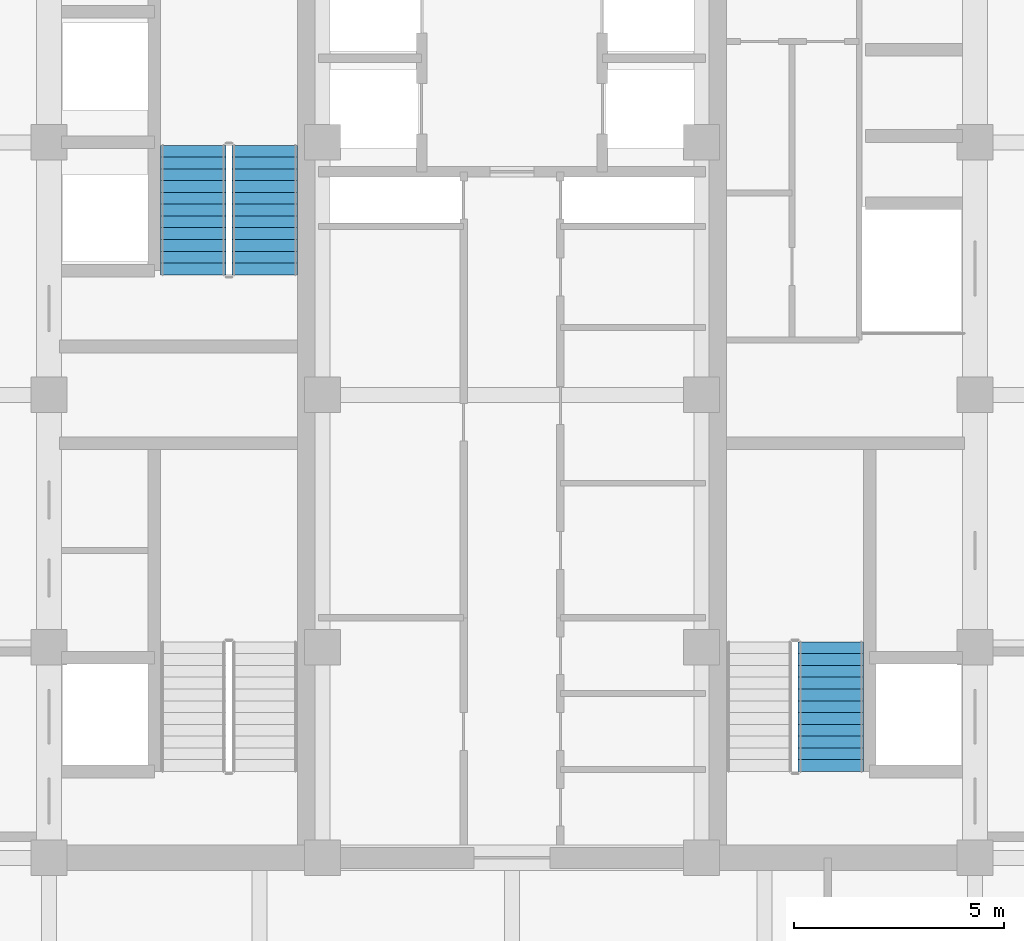
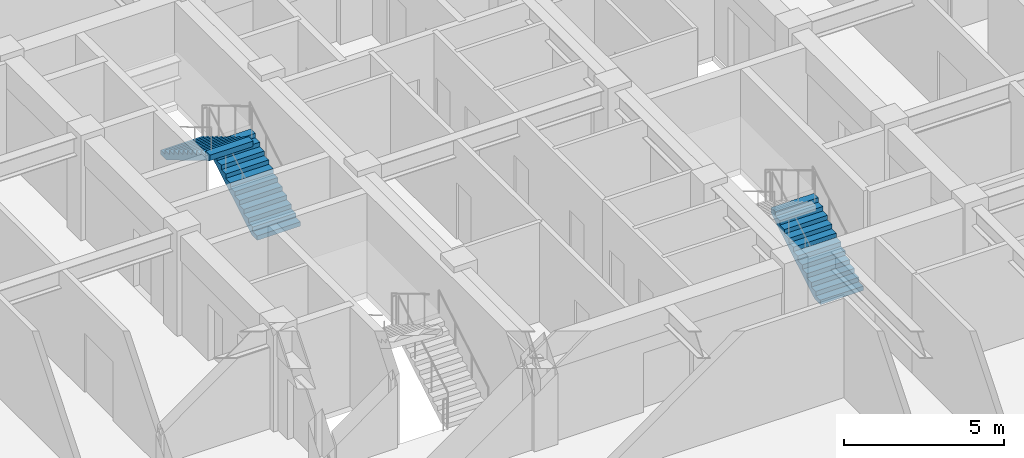
# One storey, part 24 of 25: 3 stair flights, 2 elements without a shape of their own.
"""IFC4 building model written with IfcOpenShell, lengths in metres."""

from ifc_helpers import new_model, si_unit, direction, frame, origin, place, context, subcontext, project, spatial, polyline, outline, extrude, source, transform, mapped, material, type_object, element, aggregate, save


model = new_model("IFC4")

# Units and contexts
model_context = context("Model", 3, precision=1e-05, world=origin(), true_north=direction((0.0, 1.0)))
body_context = subcontext(model_context, "Body", "Model", "MODEL_VIEW")
ifc_project = project(units=[si_unit("LENGTHUNIT", "METRE"), si_unit("AREAUNIT", "SQUARE_METRE"), si_unit("VOLUMEUNIT", "CUBIC_METRE"), si_unit("PLANEANGLEUNIT", "RADIAN"), si_unit("MASSUNIT", "GRAM", prefix="KILO")], contexts=[model_context])

# Site, building, storey
site_placement = place(None, origin())
site = spatial("IfcSite", under=ifc_project, at=site_placement, CompositionType="ELEMENT")
building_placement = place(site_placement, origin())
building = spatial("IfcBuilding", under=site, at=building_placement, Name="Khorayat Bourse Tower", CompositionType="ELEMENT")
storey_placement = place(building_placement, frame((0.0, 0.0, 223.10009765625)))
storey = spatial("IfcBuildingStorey", under=building, at=storey_placement, Name="L52", CompositionType="ELEMENT", Elevation=223.10009765625)

# Stair, stair flights
ifc_material = material(Name="Concrete C40/50", Category="concrete")
stair_type = type_object("IfcStairType", Name="STR-CORE-1550", PredefinedType="HALF_TURN_STAIR", material=ifc_material)
stair_1_placement = place(storey_placement, origin())
stair_1 = element("IfcStair", 1, at=stair_1_placement, inside=storey, type_object=stair_type, Name="L52 Exit Stair ST-2", PredefinedType="HALF_TURN_STAIR")
stair_flight_type = type_object("IfcStairFlightType", Name="FLT-CORE-1550", PredefinedType="STRAIGHT", material=ifc_material)
shared_shape = source(origin(), body_context, "Body", "SweptSolid", [
    extrude(outline(polyline([(0.0, 0.0), (0.0, 0.166748046875), (0.280029296875, 0.166748046875), (0.280029296875, 0.333251953125), (0.56005859375, 0.333251953125), (0.56005859375, 0.5), (0.840087890625, 0.5), (0.840087890625, 0.666748046875), (1.1201171875, 0.666748046875), (1.1201171875, 0.833251953125), (1.39990234375, 0.833251953125), (1.39990234375, 1.0), (1.679931640625, 1.0), (1.679931640625, 1.166748046875), (1.9599609375, 1.166748046875), (1.9599609375, 1.333251953125), (2.239990234375, 1.333251953125), (2.239990234375, 1.5), (2.52001953125, 1.5), (2.52001953125, 1.666748046875), (2.800048828125, 1.666748046875), (2.800048828125, 1.833251953125), (3.080078125, 1.833251953125), (3.080078125, 2.0), (3.080078125, 1.6240234375), (0.351806640625, 0.0), (0.0, 0.0)])), frame((0.0, 0.77490234375, 0.0), z_axis=(0.0, -1.0, 0.0), x_axis=(1.0, 0.0, 0.0)), (0.0, 0.0, 1.0), 1.550048828125),
])
stair_flight_1_placement = place(storey_placement, frame((-5.875, 2.85009765625, 0.0), z_axis=(0.0, 0.0, 1.0), x_axis=(0.0, 1.0, 0.0)))
stair_flight_1 = element("IfcStairFlight", 2, at=stair_flight_1_placement, type_object=stair_flight_type, Name="ST-2 flight 1", NumberOfRisers=12, NumberOfTreads=11, PredefinedType="STRAIGHT", RiserHeight=0.166666667, TreadLength=0.28, context=body_context, shape_type="MappedRepresentation", body=[
    mapped(shared_shape, transform((0.0, 0.0, 0.0), scale=1.0)),
])
stair_flight_2_placement = place(storey_placement, frame((-7.574951171875, 5.929931640625, 2.0), z_axis=(0.0, 0.0, 1.0), x_axis=(0.0, -1.0, 0.0)))
stair_flight_2 = element("IfcStairFlight", 3, at=stair_flight_2_placement, type_object=stair_flight_type, Name="ST-2 flight 2", NumberOfRisers=12, NumberOfTreads=11, PredefinedType="STRAIGHT", RiserHeight=0.166666667, TreadLength=0.28, context=body_context, shape_type="MappedRepresentation", body=[
    mapped(shared_shape, transform((0.0, 0.0, 0.0), scale=1.0)),
])
aggregate(stair_1, [stair_flight_1, stair_flight_2])

# Stair, stair flight
stair_2_placement = place(storey_placement, origin())
stair_2 = element("IfcStair", 4, at=stair_2_placement, inside=storey, type_object=stair_type, Name="L52 Exit Stair ST-3", PredefinedType="HALF_TURN_STAIR")
stair_flight_3_placement = place(storey_placement, frame((7.574951171875, -8.949951171875, 0.0), z_axis=(0.0, 0.0, 1.0), x_axis=(0.0, 1.0, 0.0)))
stair_flight_3 = element("IfcStairFlight", 5, at=stair_flight_3_placement, type_object=stair_flight_type, Name="ST-3 flight 1", NumberOfRisers=12, NumberOfTreads=11, PredefinedType="STRAIGHT", RiserHeight=0.166666667, TreadLength=0.28, context=body_context, shape_type="MappedRepresentation", body=[
    mapped(shared_shape, transform((0.0, 0.0, 0.0), scale=1.0)),
])
aggregate(stair_2, [stair_flight_3])

save(model, "model.ifc")
